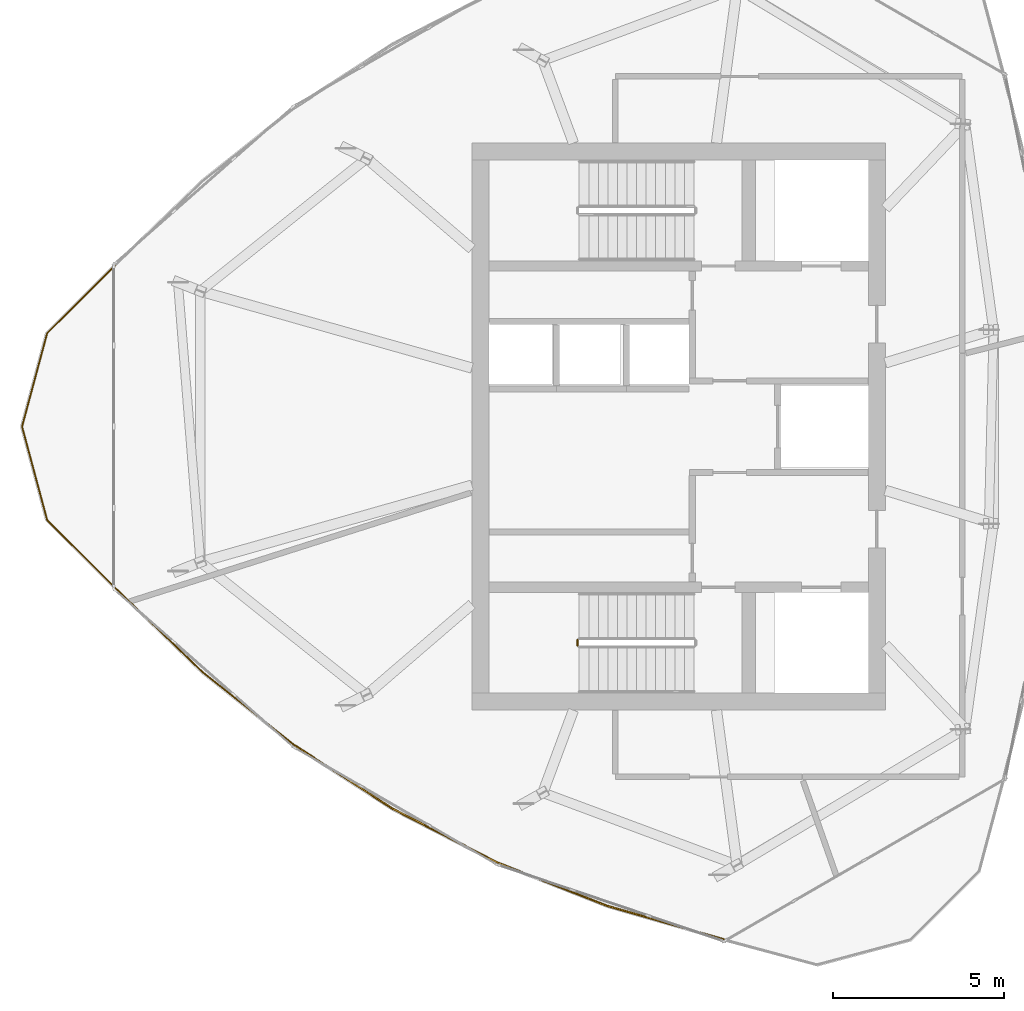
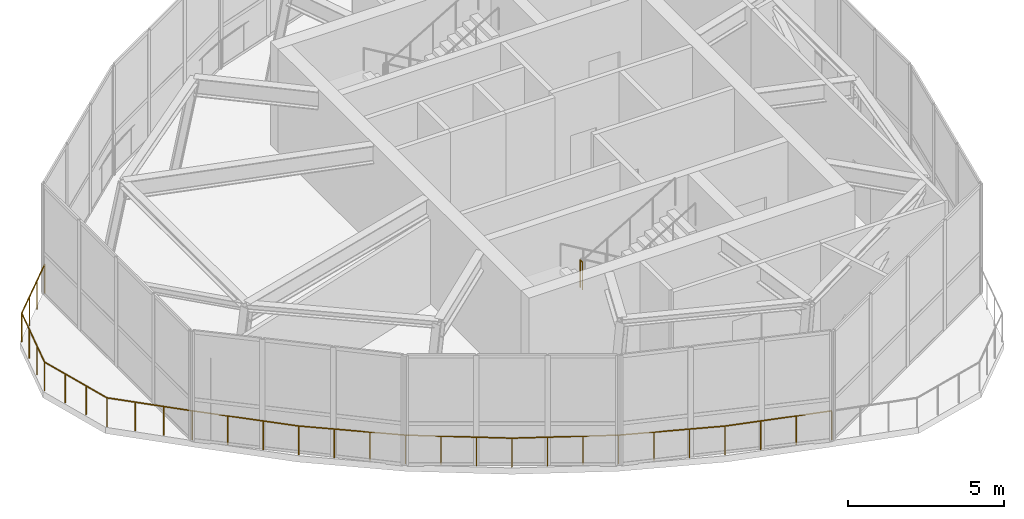
# One storey, part 9 of 11: 5 railings.
"""IFC4 building model written with IfcOpenShell, lengths in metres."""

from ifc_helpers import new_model, si_unit, direction, frame, origin, origin_2d, place, context, subcontext, project, spatial, circle, extrude, source, transform, mapped, material, type_object, element, save


model = new_model("IFC4")

# Units and contexts
model_context = context("Model", 3, precision=1e-05, world=origin(), true_north=direction((0.0, 1.0)))
body_context = subcontext(model_context, "Body", "Model", "MODEL_VIEW")
ifc_project = project(units=[si_unit("LENGTHUNIT", "METRE"), si_unit("AREAUNIT", "SQUARE_METRE"), si_unit("VOLUMEUNIT", "CUBIC_METRE"), si_unit("PLANEANGLEUNIT", "RADIAN"), si_unit("MASSUNIT", "GRAM", prefix="KILO")], contexts=[model_context])

# Site, building, storey
site_placement = place(None, origin())
site = spatial("IfcSite", under=ifc_project, at=site_placement, CompositionType="ELEMENT")
building_placement = place(site_placement, origin())
building = spatial("IfcBuilding", under=site, at=building_placement, Name="Qafzar Sky-Pleat Residences", CompositionType="ELEMENT")
storey_placement = place(building_placement, frame((0.0, 0.0, 253.199951171875)))
storey = spatial("IfcBuildingStorey", under=building, at=storey_placement, Name="L76 Crown", CompositionType="ELEMENT", Elevation=253.199951171875)

# Railings
ifc_material_1 = material(Name="Galvanised and bronze-coated Steel S355 guardrail", Category="steel")
railing_type_1 = type_object("IfcRailingType", Name="RAIL-EXT-1150", PredefinedType="GUARDRAIL", material=ifc_material_1)
shared_shape_1 = source(origin(), body_context, "Body", "SweptSolid", [
    extrude(circle(Radius=0.02392578125, at=origin_2d()), frame((0.0, 0.0, 1.1259765625), z_axis=(-0.708311683006, -0.705899822721, 0.0), x_axis=(0.705899822721, -0.708311683006, 0.0)), (0.0, 0.0, 1.0), 2.834228515625),
    extrude(circle(Radius=0.02392578125, at=origin_2d()), frame((-2.007568359375, -2.000732421875, 1.1259765625), z_axis=(-0.259373713926, -0.96577703251, 0.0), x_axis=(0.96577703251, -0.259373713926, 0.0)), (0.0, 0.0, 1.0), 2.832275390625),
    extrude(circle(Radius=0.02392578125, at=origin_2d()), frame((-2.7421875, -4.736083984375, 1.1259765625), z_axis=(0.259373713926, -0.96577703251, 0.0), x_axis=(0.96577703251, 0.259373713926, 0.0)), (0.0, 0.0, 1.0), 2.832275390625),
    extrude(circle(Radius=0.02392578125, at=origin_2d()), frame((-2.007568359375, -7.471435546875, 1.1259765625), z_axis=(0.708311683006, -0.705899822721, 0.0), x_axis=(0.705899822721, 0.708311683006, 0.0)), (0.0, 0.0, 1.0), 2.834228515625),
    extrude(circle(Radius=0.02099609375, at=origin_2d()), origin(), (0.0, 0.0, 1.0), 1.101806640625),
    extrude(circle(Radius=0.02099609375, at=origin_2d()), frame((-0.669189453125, -0.6669921875, 0.0)), (0.0, 0.0, 1.0), 1.101806640625),
    extrude(circle(Radius=0.02099609375, at=origin_2d()), frame((-1.33837890625, -1.333740234375, 0.0)), (0.0, 0.0, 1.0), 1.101806640625),
    extrude(circle(Radius=0.02099609375, at=origin_2d()), frame((-2.007568359375, -2.000732421875, 0.0)), (0.0, 0.0, 1.0), 1.101806640625),
    extrude(circle(Radius=0.02099609375, at=origin_2d()), frame((-2.25244140625, -2.91259765625, 0.0)), (0.0, 0.0, 1.0), 1.101806640625),
    extrude(circle(Radius=0.02099609375, at=origin_2d()), frame((-2.497314453125, -3.82421875, 0.0)), (0.0, 0.0, 1.0), 1.101806640625),
    extrude(circle(Radius=0.02099609375, at=origin_2d()), frame((-2.7421875, -4.736083984375, 0.0)), (0.0, 0.0, 1.0), 1.101806640625),
    extrude(circle(Radius=0.02099609375, at=origin_2d()), frame((-2.497314453125, -5.64794921875, 0.0)), (0.0, 0.0, 1.0), 1.101806640625),
    extrude(circle(Radius=0.02099609375, at=origin_2d()), frame((-2.25244140625, -6.5595703125, 0.0)), (0.0, 0.0, 1.0), 1.101806640625),
    extrude(circle(Radius=0.02099609375, at=origin_2d()), frame((-2.007568359375, -7.471435546875, 0.0)), (0.0, 0.0, 1.0), 1.101806640625),
    extrude(circle(Radius=0.02099609375, at=origin_2d()), frame((-1.33837890625, -8.138427734375, 0.0)), (0.0, 0.0, 1.0), 1.101806640625),
    extrude(circle(Radius=0.02099609375, at=origin_2d()), frame((-0.669189453125, -8.80517578125, 0.0)), (0.0, 0.0, 1.0), 1.101806640625),
    extrude(circle(Radius=0.02099609375, at=origin_2d()), frame((0.0, -9.47216796875, 0.0)), (0.0, 0.0, 1.0), 1.101806640625),
])
railing_1_placement = place(storey_placement, frame((13.876708984375, 30.736083984375, 0.0)))
element("IfcRailing", 1, at=railing_1_placement, inside=storey, type_object=railing_type_1, Name="L76 Crown Corner Maintenance Guardrail 1", PredefinedType="GUARDRAIL", context=body_context, shape_type="MappedRepresentation", body=[
    mapped(shared_shape_1, transform((0.0, 0.0, 0.0), x_axis=(1.0, 0.0, 0.0), y_axis=(0.0, 1.0, 0.0), z_axis=(0.0, 0.0, 1.0), scale=1.0)),
])
shared_shape_2 = source(origin(), body_context, "Body", "SweptSolid", [
    extrude(circle(Radius=0.02392578125, at=origin_2d()), frame((0.0, 0.0, 1.1259765625), z_axis=(0.71989244576, -0.694085633433, 0.0), x_axis=(0.694085633433, 0.71989244576, 0.0)), (0.0, 0.0, 1.0), 3.52880859375),
    extrude(circle(Radius=0.02392578125, at=origin_2d()), frame((2.540283203125, -2.44921875, 1.1259765625), z_axis=(0.782840882903, -0.622221947584, 0.0), x_axis=(0.622221947584, 0.782840882903, 0.0)), (0.0, 0.0, 1.0), 3.45947265625),
    extrude(circle(Radius=0.02099609375, at=origin_2d()), origin(), (0.0, 0.0, 1.0), 1.101806640625),
    extrude(circle(Radius=0.02099609375, at=origin_2d()), frame((0.8466796875, -0.81640625, 0.0)), (0.0, 0.0, 1.0), 1.101806640625),
    extrude(circle(Radius=0.02099609375, at=origin_2d()), frame((1.693603515625, -1.6328125, 0.0)), (0.0, 0.0, 1.0), 1.101806640625),
    extrude(circle(Radius=0.02099609375, at=origin_2d()), frame((2.540283203125, -2.44921875, 0.0)), (0.0, 0.0, 1.0), 1.101806640625),
    extrude(circle(Radius=0.02099609375, at=origin_2d()), frame((3.443115234375, -3.166748046875, 0.0)), (0.0, 0.0, 1.0), 1.101806640625),
    extrude(circle(Radius=0.02099609375, at=origin_2d()), frame((4.345703125, -3.88427734375, 0.0)), (0.0, 0.0, 1.0), 1.101806640625),
    extrude(circle(Radius=0.02099609375, at=origin_2d()), frame((5.24853515625, -4.601806640625, 0.0)), (0.0, 0.0, 1.0), 1.101806640625),
])
railing_2_placement = place(storey_placement, frame((13.876708984375, 21.263916015625, 0.0)))
element("IfcRailing", 2, at=railing_2_placement, inside=storey, type_object=railing_type_1, Name="L76 Crown Corner Maintenance Guardrail 2", PredefinedType="GUARDRAIL", context=body_context, shape_type="MappedRepresentation", body=[
    mapped(shared_shape_2, transform((0.0, 0.0, 0.0), x_axis=(1.0, 0.0, 0.0), y_axis=(0.0, 1.0, 0.0), z_axis=(0.0, 0.0, 1.0), scale=1.0)),
])
shared_shape_3 = source(origin(), body_context, "Body", "SweptSolid", [
    extrude(circle(Radius=0.02392578125, at=origin_2d()), frame((0.0, 0.0, 1.1259765625), z_axis=(0.840120596894, -0.54239965217, 0.0), x_axis=(0.54239965217, 0.840120596894, 0.0)), (0.0, 0.0, 1.0), 3.424560546875),
    extrude(circle(Radius=0.02392578125, at=origin_2d()), frame((2.876953125, -1.857421875, 1.1259765625), z_axis=(0.889672689939, -0.456598844476, 0.0), x_axis=(0.456598844476, 0.889672689939, 0.0)), (0.0, 0.0, 1.0), 3.4248046875),
    extrude(circle(Radius=0.02099609375, at=origin_2d()), origin(), (0.0, 0.0, 1.0), 1.101806640625),
    extrude(circle(Radius=0.02099609375, at=origin_2d()), frame((0.958984375, -0.619140625, 0.0)), (0.0, 0.0, 1.0), 1.101806640625),
    extrude(circle(Radius=0.02099609375, at=origin_2d()), frame((1.91796875, -1.23828125, 0.0)), (0.0, 0.0, 1.0), 1.101806640625),
    extrude(circle(Radius=0.02099609375, at=origin_2d()), frame((2.876953125, -1.857421875, 0.0)), (0.0, 0.0, 1.0), 1.101806640625),
    extrude(circle(Radius=0.02099609375, at=origin_2d()), frame((3.892578125, -2.378662109375, 0.0)), (0.0, 0.0, 1.0), 1.101806640625),
    extrude(circle(Radius=0.02099609375, at=origin_2d()), frame((4.908203125, -2.89990234375, 0.0)), (0.0, 0.0, 1.0), 1.101806640625),
    extrude(circle(Radius=0.02099609375, at=origin_2d()), frame((5.923828125, -3.421142578125, 0.0)), (0.0, 0.0, 1.0), 1.101806640625),
])
railing_3_placement = place(storey_placement, frame((19.125244140625, 16.662109375, 0.0)))
element("IfcRailing", 3, at=railing_3_placement, inside=storey, type_object=railing_type_1, Name="L76 Crown Corner Maintenance Guardrail 3", PredefinedType="GUARDRAIL", context=body_context, shape_type="MappedRepresentation", body=[
    mapped(shared_shape_3, transform((0.0, 0.0, 0.0), x_axis=(1.0, 0.0, 0.0), y_axis=(0.0, 1.0, 0.0), z_axis=(0.0, 0.0, 1.0), scale=1.0)),
])
shared_shape_4 = source(origin(), body_context, "Body", "SweptSolid", [
    extrude(circle(Radius=0.02392578125, at=origin_2d()), frame((0.0, 0.0, 1.1259765625), z_axis=(0.93018438693, -0.367092639957, 0.0), x_axis=(0.367092639957, 0.93018438693, 0.0)), (0.0, 0.0, 1.0), 3.46044921875),
    extrude(circle(Radius=0.02392578125, at=origin_2d()), frame((3.21875, -1.270263671875, 1.1259765625), z_axis=(0.961042206475, -0.276401659499, 0.0), x_axis=(0.276401659499, 0.961042206475, 0.0)), (0.0, 0.0, 1.0), 3.529541015625),
    extrude(circle(Radius=0.02099609375, at=origin_2d()), origin(), (0.0, 0.0, 1.0), 1.101806640625),
    extrude(circle(Radius=0.02099609375, at=origin_2d()), frame((1.072998046875, -0.42333984375, 0.0)), (0.0, 0.0, 1.0), 1.101806640625),
    extrude(circle(Radius=0.02099609375, at=origin_2d()), frame((2.145751953125, -0.846923828125, 0.0)), (0.0, 0.0, 1.0), 1.101806640625),
    extrude(circle(Radius=0.02099609375, at=origin_2d()), frame((3.21875, -1.270263671875, 0.0)), (0.0, 0.0, 1.0), 1.101806640625),
    extrude(circle(Radius=0.02099609375, at=origin_2d()), frame((4.349365234375, -1.595458984375, 0.0)), (0.0, 0.0, 1.0), 1.101806640625),
    extrude(circle(Radius=0.02099609375, at=origin_2d()), frame((5.480224609375, -1.920654296875, 0.0)), (0.0, 0.0, 1.0), 1.101806640625),
    extrude(circle(Radius=0.02099609375, at=origin_2d()), frame((6.61083984375, -2.245849609375, 0.0)), (0.0, 0.0, 1.0), 1.101806640625),
])
railing_4_placement = place(storey_placement, frame((25.049072265625, 13.240966796875, 0.0)))
element("IfcRailing", 4, at=railing_4_placement, inside=storey, type_object=railing_type_1, Name="L76 Crown Corner Maintenance Guardrail 4", PredefinedType="GUARDRAIL", context=body_context, shape_type="MappedRepresentation", body=[
    mapped(shared_shape_4, transform((0.0, 0.0, 0.0), x_axis=(1.0, 0.0, 0.0), y_axis=(0.0, 1.0, 0.0), z_axis=(0.0, 0.0, 1.0), scale=1.0)),
])
ifc_material_2 = material(Name="Painted Steel S355 stair guardrail", Category="steel")
railing_type_2 = type_object("IfcRailingType", Name="RAIL-STAIR-GUARD", PredefinedType="GUARDRAIL", material=ifc_material_2)
shared_shape_5 = source(origin(), body_context, "Body", "SweptSolid", [
    extrude(circle(Radius=0.02392578125, at=origin_2d()), frame((0.0, 0.0, 1.076171875), z_axis=(0.0, -1.0, 0.0), x_axis=(1.0, 0.0, 0.0)), (0.0, 0.0, 1.0), 0.14990234375),
    extrude(circle(Radius=0.02099609375, at=origin_2d()), origin(), (0.0, 0.0, 1.0), 1.052001953125),
    extrude(circle(Radius=0.02099609375, at=origin_2d()), frame((0.0, -0.14990234375, 0.0)), (0.0, 0.0, 1.0), 1.052001953125),
])
railing_5_placement = place(storey_placement, frame((27.389892578125, 19.75, 2.150146484375)))
element("IfcRailing", 5, at=railing_5_placement, inside=storey, type_object=railing_type_2, Name="L76 Crown ST1 stair guard 2", PredefinedType="GUARDRAIL", context=body_context, shape_type="MappedRepresentation", body=[
    mapped(shared_shape_5, transform((0.0, 0.0, 0.0), x_axis=(1.0, 0.0, 0.0), y_axis=(0.0, 1.0, 0.0), z_axis=(0.0, 0.0, 1.0), scale=1.0)),
])

save(model, "model.ifc")
